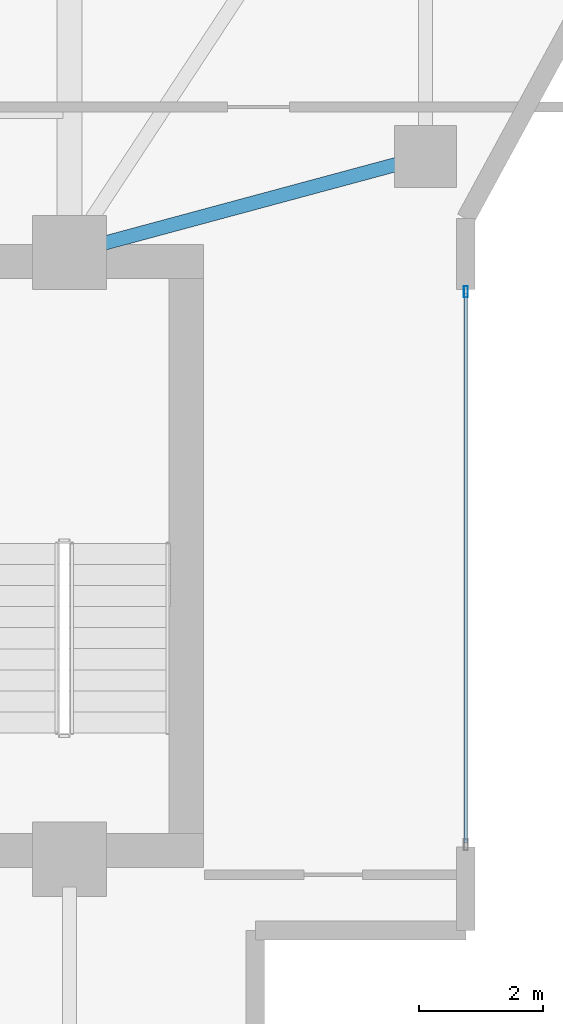
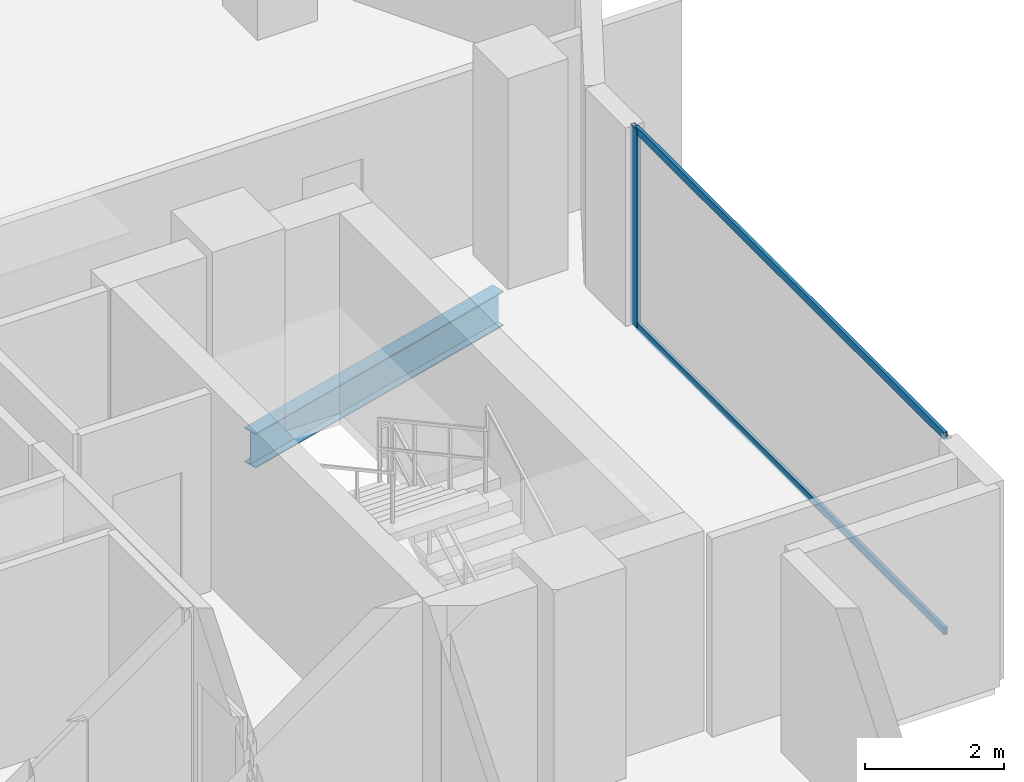
# One storey, part 9 of 25: 3 members, 1 beam, 1 element without a shape of its own.
"""IFC4 building model written with IfcOpenShell, lengths in metres."""

from ifc_helpers import new_model, si_unit, direction, frame, origin, origin_2d, place, context, subcontext, project, spatial, hollow_rectangle, i_section, extrude, material, layer, layer_set, material_profile, profile_set, type_object, element, aggregate, save


model = new_model("IFC4")

# Units and contexts
model_context = context("Model", 3, precision=1e-05, world=origin(), true_north=direction((0.0, 1.0)))
body_context = subcontext(model_context, "Body", "Model", "MODEL_VIEW")
ifc_project = project(units=[si_unit("LENGTHUNIT", "METRE"), si_unit("AREAUNIT", "SQUARE_METRE"), si_unit("VOLUMEUNIT", "CUBIC_METRE"), si_unit("PLANEANGLEUNIT", "RADIAN"), si_unit("MASSUNIT", "GRAM", prefix="KILO")], contexts=[model_context])

# Site, building, storey
site_placement = place(None, origin())
site = spatial("IfcSite", under=ifc_project, at=site_placement, CompositionType="ELEMENT")
building_placement = place(site_placement, origin())
building = spatial("IfcBuilding", under=site, at=building_placement, Name="Zuhayl Quay Hotel", CompositionType="ELEMENT")
storey_placement = place(building_placement, frame((0.0, 0.0, 243.35009765625)))
storey = spatial("IfcBuildingStorey", under=building, at=storey_placement, Name="L61", CompositionType="ELEMENT", Elevation=243.35009765625)

# Beam
ifc_material_1 = material(Name="Steel ASTM A992 Grade 50", Category="steel")
ifc_material_profile_1 = material_profile(ifc_material_1, i_section(OverallWidth=0.22802734375, OverallDepth=0.60693359375, WebThickness=0.01123046875, FlangeThickness=0.017333984375, at=origin_2d()), Name="W24X76")
ifc_profile_set_1 = profile_set([ifc_material_profile_1], Name="Steel ASTM A992 Grade 50")
beam_type = type_object("IfcBeamType", Name="BM_B3_W24X76", PredefinedType="BEAM", material=ifc_profile_set_1)
beam_placement = place(storey_placement, frame((14.234619140625, 14.467041015625, -0.523681640625), z_axis=(0.965530205773, 0.26029103277, 0.0), x_axis=(-0.26029103277, 0.965530205773, 0.0)))
element("IfcBeam", 1, at=beam_placement, inside=storey, type_object=beam_type, Name="L61 Floor Beam FG_E_L61_1", PredefinedType="BEAM", context=body_context, shape_type="SweptSolid", body=[
    extrude(i_section(OverallWidth=0.22802734375, OverallDepth=0.60693359375, WebThickness=0.01123046875, FlangeThickness=0.017333984375, at=origin_2d()), origin(), (0.0, 0.0, 1.0), 5.045166015625),
])

# Curtain wall, members
ifc_material_2 = material(Name="Anodised Aluminium 6063-T6", Category="aluminium")
ifc_layer = layer(ifc_material_2, 0.169921875, Name="Anodised Aluminium 6063-T6", Category="aluminium")
ifc_layer_set = layer_set([ifc_layer], Name="Anodised Aluminium 6063-T6")
curtain_wall_type = type_object("IfcCurtainWallType", Name="CW_SYS_Z4", PredefinedType="USERDEFINED", material=ifc_layer_set)
curtain_wall_placement = place(storey_placement, origin())
curtain_wall = element("IfcCurtainWall", 2, at=curtain_wall_placement, inside=storey, type_object=curtain_wall_type, Name="L61 Curtain Wall ENV_L61_E14_CW1", ObjectType="UNITISED CURTAIN WALL", PredefinedType="USERDEFINED")
ifc_material_3 = material(Name="Black-anodised aluminium 6063-T6", Category="aluminium")
ifc_material_profile_2 = material_profile(ifc_material_3, hollow_rectangle(XDim=0.06494140625, YDim=0.179931640625, WallThickness=0.00341796875, at=origin_2d()), Name="ALU180X65")
ifc_profile_set_2 = profile_set([ifc_material_profile_2], Name="Black-anodised aluminium 6063-T6")
member_type_1 = type_object("IfcMemberType", Name="MB_CW_MUL_180", PredefinedType="MULLION", material=ifc_profile_set_2)
member_1_placement = place(storey_placement, frame((20.199951171875, 13.717529296875, 0.0), z_axis=(0.0, 0.0, 1.0), x_axis=(1.0, 0.0, 0.0)))
member_1 = element("IfcMember", 3, at=member_1_placement, type_object=member_type_1, Name="CW-Z4 mullion 1", PredefinedType="MULLION", context=body_context, shape_type="SweptSolid", body=[
    extrude(hollow_rectangle(XDim=0.06494140625, YDim=0.179931640625, WallThickness=0.00341796875, at=origin_2d()), origin(), (0.0, 0.0, 1.0), 3.47998046875),
])
ifc_material_profile_3 = material_profile(ifc_material_3, hollow_rectangle(XDim=0.054931640625, YDim=0.1298828125, WallThickness=0.0029296875, at=origin_2d()), Name="ALU130X55")
ifc_profile_set_3 = profile_set([ifc_material_profile_3], Name="Black-anodised aluminium 6063-T6")
member_type_2 = type_object("IfcMemberType", Name="MB_CW_TRN_130", PredefinedType="USERDEFINED", material=ifc_profile_set_3)
member_2_placement = place(storey_placement, frame((20.199951171875, 13.68505859375, 0.02734375), z_axis=(0.0, -1.0, 0.0), x_axis=(1.0, 0.0, 0.0)))
member_2 = element("IfcMember", 4, at=member_2_placement, type_object=member_type_2, Name="CW-Z4 transom 1.1", ObjectType="TRANSOM", PredefinedType="USERDEFINED", context=body_context, shape_type="SweptSolid", body=[
    extrude(hollow_rectangle(XDim=0.054931640625, YDim=0.1298828125, WallThickness=0.0029296875, at=origin_2d()), origin(), (0.0, 0.0, 1.0), 8.8701171875),
])
member_3_placement = place(storey_placement, frame((20.199951171875, 13.68505859375, 3.452392578125), z_axis=(0.0, -1.0, 0.0), x_axis=(1.0, 0.0, 0.0)))
member_3 = element("IfcMember", 5, at=member_3_placement, type_object=member_type_2, Name="CW-Z4 transom 1.2", ObjectType="TRANSOM", PredefinedType="USERDEFINED", context=body_context, shape_type="SweptSolid", body=[
    extrude(hollow_rectangle(XDim=0.054931640625, YDim=0.1298828125, WallThickness=0.0029296875, at=origin_2d()), origin(), (0.0, 0.0, 1.0), 8.8701171875),
])
aggregate(curtain_wall, [member_1, member_2, member_3])

save(model, "model.ifc")
